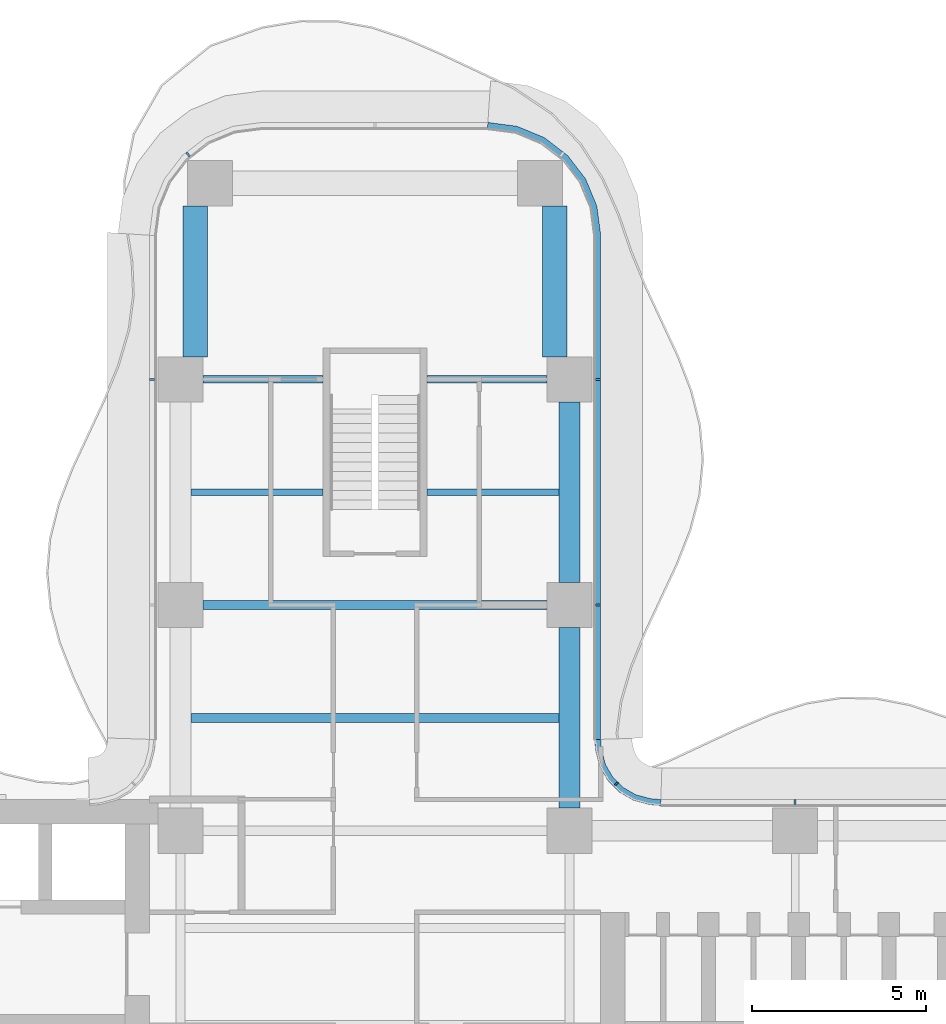
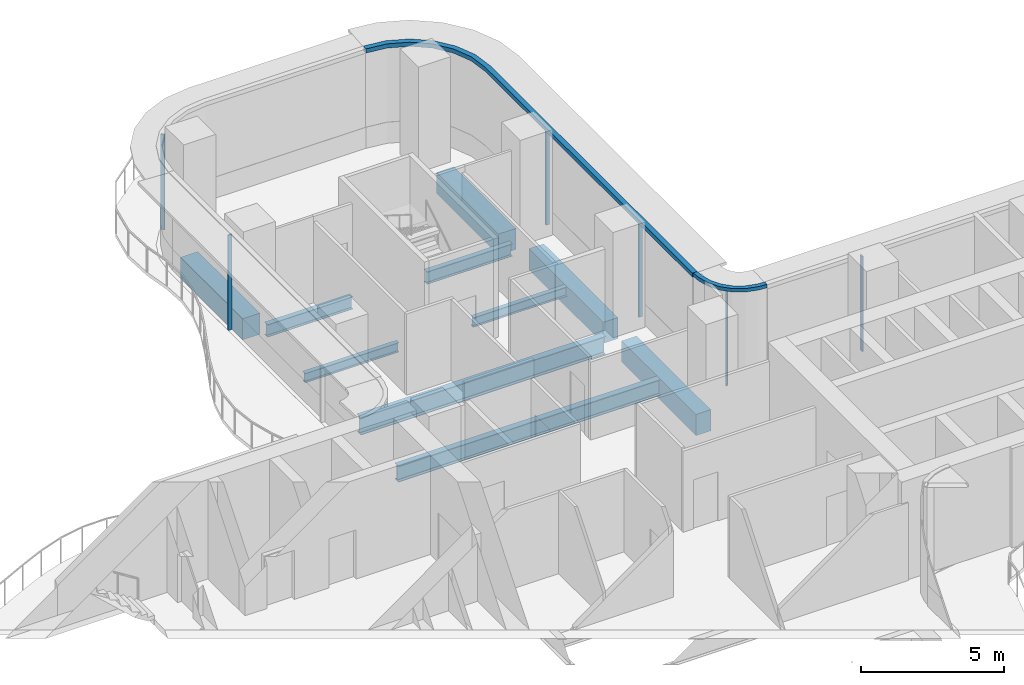
# One storey, part 9 of 20: 10 beams, 8 members, 5 elements without a shape of their own.
"""IFC4 building model written with IfcOpenShell, lengths in metres."""

import ifcopenshell
import ifcopenshell.guid

model = None  # the IFC model being written
_history = None  # IfcOwnerHistory: only IFC2X3 demands one
_inside = {}  # id of a spatial element -> (the spatial element, [elements in it])
_under = {}  # id of a project, library or spatial element -> (it, [spatial elements below it])
_declared = {}  # id of a project -> (the project, [libraries it declares])
_typed = {}  # id of a type object -> (the type object, [elements of that type])
_made_of = {}  # id of a material, layer set ... -> (it, [elements and type objects made of it])


def new_model(schema):
    """Start an empty IFC model of exactly this schema.

    Asked for "IFC4X3", IfcOpenShell would pick the latest addendum, in which some entities
    have other attributes; the version numbers below select the first issue.
    IFC2X3 requires an IfcOwnerHistory on every rooted entity: one is made here for all.
    """
    global model, _history
    if schema == "IFC4X3":
        model = ifcopenshell.file(schema_version=(4, 3, 0, 0))
    else:
        model = ifcopenshell.file(schema=schema)
    _inside.clear()
    _under.clear()
    _declared.clear()
    _typed.clear()
    _made_of.clear()
    _history = None
    if model.schema == "IFC2X3":
        org = make("IfcOrganization", Name="unknown")
        user = make(
            "IfcPersonAndOrganization",
            ThePerson=make("IfcPerson", FamilyName="unknown"),
            TheOrganization=org,
        )
        app = make(
            "IfcApplication",
            ApplicationDeveloper=org,
            Version="unknown",
            ApplicationFullName="unknown",
            ApplicationIdentifier="unknown",
        )
        _history = make(
            "IfcOwnerHistory",
            OwningUser=user,
            OwningApplication=app,
            ChangeAction="ADDED",
            CreationDate=0,
        )
    return model


def make(cls, **values):
    """One entity of the class cls with the attributes given. An attribute that is None is left unset."""
    return model.create_entity(
        cls, **{name: value for name, value in values.items() if value is not None}
    )


def rooted(cls, **values):
    """An entity with a GlobalId (a new one), such as an element, a storey or a relation."""
    return make(cls, GlobalId=ifcopenshell.guid.new(), OwnerHistory=_history, **values)


def si_unit(unit_type, name, prefix=None):
    """IfcSIUnit, for example si_unit("LENGTHUNIT", "METRE", prefix="MILLI")."""
    return make("IfcSIUnit", UnitType=unit_type, Prefix=prefix, Name=name)


def assignment(units):
    """IfcUnitAssignment: the units of a project."""
    return None if units is None else make("IfcUnitAssignment", Units=units)


def point(xyz):
    """IfcCartesianPoint."""
    return None if xyz is None else make("IfcCartesianPoint", Coordinates=xyz)


def direction(xyz):
    """IfcDirection."""
    return None if xyz is None else make("IfcDirection", DirectionRatios=xyz)


def frame(location, z_axis=None, x_axis=None):
    """IfcAxis2Placement3D, a coordinate frame: its origin and axes. An axis left out is left unset."""
    return make(
        "IfcAxis2Placement3D",
        Location=point(location),
        Axis=direction(z_axis),
        RefDirection=direction(x_axis),
    )


def frame_2d(location, x_axis=None):
    """IfcAxis2Placement2D, a coordinate frame in the plane: its origin and x axis."""
    return make(
        "IfcAxis2Placement2D", Location=point(location), RefDirection=direction(x_axis)
    )


def origin():
    """The frame at (0, 0, 0) with its axes left unset."""
    return frame((0.0, 0.0, 0.0))


def origin_2d():
    """The frame at (0, 0) in the plane with its x axis left unset."""
    return frame_2d((0.0, 0.0))


def place(relative_to, where):
    """IfcLocalPlacement: puts the frame where relative to a parent placement (None: the world)."""
    return make(
        "IfcLocalPlacement", PlacementRelTo=relative_to, RelativePlacement=where
    )


def context(
    kind, dimensions, precision=None, world=None, true_north=None, identifier=None
):
    """IfcGeometricRepresentationContext, for example the 3D "Model" context."""
    return make(
        "IfcGeometricRepresentationContext",
        ContextIdentifier=identifier,
        ContextType=kind,
        CoordinateSpaceDimension=dimensions,
        Precision=precision,
        WorldCoordinateSystem=world,
        TrueNorth=true_north,
    )


def subcontext(parent, identifier, kind, view, scale=None):
    """IfcGeometricRepresentationSubContext, for example "Body" below "Model"."""
    return make(
        "IfcGeometricRepresentationSubContext",
        ContextIdentifier=identifier,
        ContextType=kind,
        ParentContext=parent,
        TargetScale=scale,
        TargetView=view,
    )


def project(units=None, contexts=None):
    """IfcProject with its units and contexts."""
    return rooted(
        "IfcProject",
        Name="project",
        RepresentationContexts=contexts,
        UnitsInContext=assignment(units),
    )


def spatial(cls, under=None, at=None, **own):
    """A site, building, storey or space (cls), placed at a placement, below another one or the project."""
    s = rooted(cls, ObjectPlacement=at, **own)
    if under is not None:
        _under.setdefault(under.id(), (under, []))[1].append(s)
    return s


def polyline(points):
    """IfcPolyline through the points."""
    return make("IfcPolyline", Points=[point(p) for p in points])


def profile(cls, at=None, kind="AREA", **sizes):
    """A parametric profile (cls). Its sizes go by their IFC names, for example OverallWidth=200.0."""
    return make(cls, ProfileType=kind, Position=at, **sizes)


def rectangle(**sizes):
    """IfcRectangleProfileDef."""
    return profile("IfcRectangleProfileDef", **sizes)


def i_section(**sizes):
    """IfcIShapeProfileDef."""
    return profile("IfcIShapeProfileDef", **sizes)


def outline(outer, holes=None, kind="AREA"):
    """IfcArbitraryClosedProfileDef: a profile drawn as a closed curve; with holes, ...WithVoids."""
    if holes is None:
        return make("IfcArbitraryClosedProfileDef", ProfileType=kind, OuterCurve=outer)
    return make(
        "IfcArbitraryProfileDefWithVoids",
        ProfileType=kind,
        OuterCurve=outer,
        InnerCurves=holes,
    )


def extrude(swept, where, along, depth):
    """IfcExtrudedAreaSolid: the profile swept, set in the frame where, extruded along a direction by depth."""
    return make(
        "IfcExtrudedAreaSolid",
        SweptArea=swept,
        Position=where,
        ExtrudedDirection=direction(along),
        Depth=depth,
    )


def shape(context_of_items, identifier, shape_type, items):
    """IfcShapeRepresentation: the items that make up one representation, for example the "Body"."""
    return make(
        "IfcShapeRepresentation",
        ContextOfItems=context_of_items,
        RepresentationIdentifier=identifier,
        RepresentationType=shape_type,
        Items=items,
    )


def source(mapping_origin, context_of_items, identifier, shape_type, items):
    """IfcRepresentationMap: a shape defined once, which mapped items show again and again."""
    return make(
        "IfcRepresentationMap",
        MappingOrigin=mapping_origin,
        MappedRepresentation=shape(context_of_items, identifier, shape_type, items),
    )


def transform(
    local_origin,
    x_axis=None,
    y_axis=None,
    z_axis=None,
    scale=None,
    scale2=None,
    scale3=None,
    uniform=True,
):
    """IfcCartesianTransformationOperator3D, or its non-uniform kind. x_axis, y_axis, z_axis: its Axis1, 2, 3."""
    if uniform:
        return make(
            "IfcCartesianTransformationOperator3D",
            Axis1=direction(x_axis),
            Axis2=direction(y_axis),
            LocalOrigin=point(local_origin),
            Scale=scale,
            Axis3=direction(z_axis),
        )
    return make(
        "IfcCartesianTransformationOperator3DnonUniform",
        Axis1=direction(x_axis),
        Axis2=direction(y_axis),
        LocalOrigin=point(local_origin),
        Scale=scale,
        Axis3=direction(z_axis),
        Scale2=scale2,
        Scale3=scale3,
    )


def mapped(mapping_source, mapping_target):
    """IfcMappedItem: shows the shape of a source again, moved by a transform."""
    return make(
        "IfcMappedItem", MappingSource=mapping_source, MappingTarget=mapping_target
    )


def material(Name=None, Category=None):
    """IfcMaterial."""
    return make("IfcMaterial", Name=Name, Category=Category)


def layer(
    of_material, thickness, ventilated=None, Name=None, Category=None, Priority=None
):
    """IfcMaterialLayer: one layer of a wall or slab, of a material (None: an air gap)."""
    return make(
        "IfcMaterialLayer",
        Material=of_material,
        LayerThickness=thickness,
        IsVentilated=ventilated,
        Name=Name,
        Category=Category,
        Priority=Priority,
    )


def layer_set(layers, Name=None):
    """IfcMaterialLayerSet."""
    return make("IfcMaterialLayerSet", MaterialLayers=layers, LayerSetName=Name)


def material_profile(
    of_material, cross_section, Name=None, Category=None, Priority=None
):
    """IfcMaterialProfile: a cross section and its material."""
    return make(
        "IfcMaterialProfile",
        Name=Name,
        Material=of_material,
        Profile=cross_section,
        Priority=Priority,
        Category=Category,
    )


def profile_set(profiles, Name=None, composite=None):
    """IfcMaterialProfileSet."""
    return make(
        "IfcMaterialProfileSet",
        Name=Name,
        MaterialProfiles=profiles,
        CompositeProfile=composite,
    )


def made_of(thing, what):
    """Note that an element or type object is made of a material, layer set ...; save() writes the relation."""
    if what is not None:
        _made_of.setdefault(what.id(), (what, []))[1].append(thing)
    return thing


def type_object(cls, material=None, **own):
    """A type object (cls), such as IfcWallType, which elements share."""
    return made_of(rooted(cls, **own), material)


def element(
    cls,
    number,
    at=None,
    inside=None,
    cuts=None,
    type_object=None,
    material=None,
    context=None,
    identifier="Body",
    shape_type=None,
    held_by="IfcProductDefinitionShape",
    body=None,
    shapes=None,
    **own,
):
    """One element of the class cls, such as IfcWall. Its Tag is "e" and its number.

    at: its placement. inside: the storey or other place that contains it. cuts: it is an
    opening in that element (IfcRelVoidsElement). A single representation is given by context,
    identifier, shape_type and body (its items); several are given by shapes. held_by: the class
    of the entity that holds the representations. save() writes the other relations.
    """
    e = rooted(cls, Tag="e%d" % number, ObjectPlacement=at, **own)
    if body is not None:
        shapes = [shape(context, identifier, shape_type, body)]
    if shapes is not None:
        e.Representation = make(held_by, Representations=shapes)
    if inside is not None:
        _inside.setdefault(inside.id(), (inside, []))[1].append(e)
    if cuts is not None:
        rooted(
            "IfcRelVoidsElement", RelatingBuildingElement=cuts, RelatedOpeningElement=e
        )
    if type_object is not None:
        _typed.setdefault(type_object.id(), (type_object, []))[1].append(e)
    return made_of(e, material)


def aggregate(whole, parts):
    """IfcRelAggregates: a whole, such as a stair, and the parts it consists of."""
    return rooted("IfcRelAggregates", RelatingObject=whole, RelatedObjects=parts)


def save(model, path):
    """Write the relations noted so far, then the file.

    IfcRelAggregates (storeys below a building ...), IfcRelContainedInSpatialStructure (elements
    in a storey), IfcRelDefinesByType, IfcRelAssociatesMaterial and IfcRelDeclares: one each for
    every whole, place, type object, material and project.
    """
    for whole, parts in _under.values():
        aggregate(whole, parts)
    for where, things in _inside.values():
        rooted(
            "IfcRelContainedInSpatialStructure",
            RelatedElements=things,
            RelatingStructure=where,
        )
    for kind, things in _typed.values():
        rooted("IfcRelDefinesByType", RelatedObjects=things, RelatingType=kind)
    for what, things in _made_of.values():
        rooted("IfcRelAssociatesMaterial", RelatedObjects=things, RelatingMaterial=what)
    for by, libraries in _declared.values():
        rooted("IfcRelDeclares", RelatingContext=by, RelatedDefinitions=libraries)
    model.write(path)


model = new_model("IFC4")

# Units and contexts
model_context = context("Model", 3, precision=1e-05, world=origin(), true_north=direction((0.0, 1.0)))
body_context = subcontext(model_context, "Body", "Model", "MODEL_VIEW")
ifc_project = project(units=[si_unit("LENGTHUNIT", "METRE"), si_unit("AREAUNIT", "SQUARE_METRE"), si_unit("VOLUMEUNIT", "CUBIC_METRE"), si_unit("PLANEANGLEUNIT", "RADIAN"), si_unit("MASSUNIT", "GRAM", prefix="KILO")], contexts=[model_context])

# Site, building, storey
site_placement = place(None, origin())
site = spatial("IfcSite", under=ifc_project, at=site_placement, CompositionType="ELEMENT")
building_placement = place(site_placement, origin())
building = spatial("IfcBuilding", under=site, at=building_placement, Name="Trellis Farm Tower", CompositionType="ELEMENT")
storey_placement = place(building_placement, frame((0.0, 0.0, 142.5)))
storey = spatial("IfcBuildingStorey", under=building, at=storey_placement, Name="L30", CompositionType="ELEMENT", Elevation=142.5)

# Beams
ifc_material_1 = material(Name="Steel S355", Category="steel")
ifc_material_profile_1 = material_profile(ifc_material_1, i_section(OverallWidth=0.177978515625, OverallDepth=0.406494140625, WebThickness=0.0078125, FlangeThickness=0.0126953125, FilletRadius=0.01025390625, at=origin_2d()), Name="UB 406x178x60")
ifc_profile_set_1 = profile_set([ifc_material_profile_1], Name="Steel S355")
beam_type_1 = type_object("IfcBeamType", Name="UB 406x178x60 joist", PredefinedType="JOIST", material=ifc_profile_set_1)
shared_shape_1 = source(origin(), body_context, "Body", "SweptSolid", [
    extrude(i_section(OverallWidth=0.177978515625, OverallDepth=0.406494140625, WebThickness=0.0078125, FlangeThickness=0.0126953125, FilletRadius=0.01025390625, at=origin_2d()), origin(), (0.0, 0.0, 1.0), 3.800048828125),
])
for number, where, z_axis, x_axis, name in (
    (1, (-5.300048828125, 15.35009765625, -0.453125), (1.0, 0.0, 0.0), (0.0, 1.0, 0.0), "Floor beam"),
    (2, (1.5, 15.35009765625, -0.453125), (1.0, 0.0, 0.0), (0.0, 1.0, 0.0), "Floor beam"),
):
    element("IfcBeam", number, at=place(storey_placement, frame(where, z_axis=z_axis, x_axis=x_axis)), inside=storey, type_object=beam_type_1, Name=name, PredefinedType="JOIST", context=body_context, shape_type="MappedRepresentation", body=[
        mapped(shared_shape_1, transform((0.0, 0.0, 0.0))),
    ])
ifc_material_profile_2 = material_profile(ifc_material_1, i_section(OverallWidth=0.253662109375, OverallDepth=0.68359375, WebThickness=0.012451171875, FlangeThickness=0.021728515625, FilletRadius=0.01513671875, at=origin_2d()), Name="UB 686x254x140")
ifc_profile_set_2 = profile_set([ifc_material_profile_2], Name="Steel S355")
beam_type_2 = type_object("IfcBeamType", Name="UB 686x254x140 joist", PredefinedType="JOIST", material=ifc_profile_set_2)
shared_shape_2 = source(origin(), body_context, "Body", "SweptSolid", [
    extrude(i_section(OverallWidth=0.253662109375, OverallDepth=0.68359375, WebThickness=0.012451171875, FlangeThickness=0.021728515625, FilletRadius=0.01513671875, at=origin_2d()), origin(), (0.0, 0.0, 1.0), 10.60009765625),
])
beam_1_placement = place(storey_placement, frame((-5.300048828125, 8.85009765625, -0.591796875), z_axis=(1.0, 0.0, 0.0), x_axis=(0.0, 1.0, 0.0)))
element("IfcBeam", 3, at=beam_1_placement, inside=storey, type_object=beam_type_2, Name="Floor beam", PredefinedType="JOIST", context=body_context, shape_type="MappedRepresentation", body=[
    mapped(shared_shape_2, transform((0.0, 0.0, 0.0))),
])
ifc_material_profile_3 = material_profile(ifc_material_1, i_section(OverallWidth=0.209228515625, OverallDepth=0.533203125, WebThickness=0.010009765625, FlangeThickness=0.015625, FilletRadius=0.0126953125, at=origin_2d()), Name="UB 533x210x92")
ifc_profile_set_3 = profile_set([ifc_material_profile_3], Name="Steel S355")
beam_type_3 = type_object("IfcBeamType", Name="UB 533x210x92", PredefinedType="BEAM", material=ifc_profile_set_3)
shared_shape_3 = source(origin(), body_context, "Body", "SweptSolid", [
    extrude(i_section(OverallWidth=0.209228515625, OverallDepth=0.533203125, WebThickness=0.010009765625, FlangeThickness=0.015625, FilletRadius=0.0126953125, at=origin_2d()), origin(), (0.0, 0.0, 1.0), 3.449951171875),
])
for number, where, z_axis, x_axis, name in (
    (4, (-4.949951171875, 18.60009765625, -0.5166015625), (1.0, 0.0, 0.0), (0.0, 1.0, 0.0), "Girder"),
    (5, (1.5, 18.60009765625, -0.5166015625), (1.0, 0.0, 0.0), (0.0, 1.0, 0.0), "Girder"),
):
    element("IfcBeam", number, at=place(storey_placement, frame(where, z_axis=z_axis, x_axis=x_axis)), inside=storey, type_object=beam_type_3, Name=name, PredefinedType="BEAM", context=body_context, shape_type="MappedRepresentation", body=[
        mapped(shared_shape_3, transform((0.0, 0.0, 0.0))),
    ])
ifc_material_profile_4 = material_profile(ifc_material_1, i_section(OverallWidth=0.2666015625, OverallDepth=0.76220703125, WebThickness=0.014404296875, FlangeThickness=0.021484375, FilletRadius=0.0166015625, at=origin_2d()), Name="UB 762x267x173")
ifc_profile_set_4 = profile_set([ifc_material_profile_4], Name="Steel S355")
beam_type_4 = type_object("IfcBeamType", Name="UB 762x267x173", PredefinedType="BEAM", material=ifc_profile_set_4)
shared_shape_4 = source(origin(), body_context, "Body", "SweptSolid", [
    extrude(i_section(OverallWidth=0.2666015625, OverallDepth=0.76220703125, WebThickness=0.014404296875, FlangeThickness=0.021484375, FilletRadius=0.0166015625, at=origin_2d()), origin(), (0.0, 0.0, 1.0), 9.89990234375),
])
beam_2_placement = place(storey_placement, frame((-4.949951171875, 12.10009765625, -0.631103515625), z_axis=(1.0, 0.0, 0.0), x_axis=(0.0, 1.0, 0.0)))
element("IfcBeam", 6, at=beam_2_placement, inside=storey, type_object=beam_type_4, Name="Girder", PredefinedType="BEAM", context=body_context, shape_type="MappedRepresentation", body=[
    mapped(shared_shape_4, transform((0.0, 0.0, 0.0))),
])
ifc_material_2 = material(Name="Concrete C60/75", Category="concrete")
ifc_material_profile_5 = material_profile(ifc_material_2, rectangle(XDim=0.60009765625, YDim=0.89990234375, at=origin_2d()), Name="RC spandrel beam 600x900 C60/75")
ifc_profile_set_5 = profile_set([ifc_material_profile_5], Name="Concrete C60/75")
beam_type_5 = type_object("IfcBeamType", Name="RC spandrel beam 600x900 C60/75", PredefinedType="SPANDREL", material=ifc_profile_set_5)
shared_shape_5 = source(origin(), body_context, "Body", "SweptSolid", [
    extrude(rectangle(XDim=0.60009765625, YDim=0.89990234375, at=origin_2d()), origin(), (0.0, 0.0, 1.0), 5.199951171875),
])
for number, where, z_axis, x_axis, name in (
    (7, (5.60009765625, 6.25, -0.699951171875), (0.0, 1.0, 0.0), (-1.0, 0.0, 0.0), "Girder"),
    (8, (5.60009765625, 12.75, -0.699951171875), (0.0, 1.0, 0.0), (-1.0, 0.0, 0.0), "Girder"),
):
    element("IfcBeam", number, at=place(storey_placement, frame(where, z_axis=z_axis, x_axis=x_axis)), inside=storey, type_object=beam_type_5, Name=name, PredefinedType="SPANDREL", context=body_context, shape_type="MappedRepresentation", body=[
        mapped(shared_shape_5, transform((0.0, 0.0, 0.0))),
    ])
ifc_material_profile_6 = material_profile(ifc_material_2, rectangle(XDim=0.699951171875, YDim=0.89990234375, at=origin_2d()), Name="RC spandrel beam 700x900 C60/75")
ifc_profile_set_6 = profile_set([ifc_material_profile_6], Name="Concrete C60/75")
beam_type_6 = type_object("IfcBeamType", Name="RC spandrel beam 700x900 C60/75", PredefinedType="SPANDREL", material=ifc_profile_set_6)
shared_shape_6 = source(origin(), body_context, "Body", "SweptSolid", [
    extrude(rectangle(XDim=0.699951171875, YDim=0.89990234375, at=origin_2d()), origin(), (0.0, 0.0, 1.0), 4.35009765625),
])
for number, where, z_axis, x_axis, name in (
    (9, (-5.175048828125, 19.25, -0.699951171875), (0.0, 1.0, 0.0), (-1.0, 0.0, 0.0), "Girder"),
    (10, (5.175048828125, 19.25, -0.699951171875), (0.0, 1.0, 0.0), (-1.0, 0.0, 0.0), "Girder"),
):
    element("IfcBeam", number, at=place(storey_placement, frame(where, z_axis=z_axis, x_axis=x_axis)), inside=storey, type_object=beam_type_6, Name=name, PredefinedType="SPANDREL", context=body_context, shape_type="MappedRepresentation", body=[
        mapped(shared_shape_6, transform((0.0, 0.0, 0.0))),
    ])

# Curtain wall, member
ifc_material_3 = material(Name="Aluminium and glass curtain wall", Category="aluminium")
ifc_layer_1 = layer(ifc_material_3, 0.18994140625)
ifc_layer_set_1 = layer_set([ifc_layer_1], Name="RIBBON CURTAIN WALL CW1")
curtain_wall_type_1 = type_object("IfcCurtainWallType", Name="RIBBON CURTAIN WALL CW1", PredefinedType="NOTDEFINED", material=ifc_layer_set_1)
placement = place(storey_placement, origin())
curtain_wall_1 = element("IfcCurtainWall", 11, at=placement, inside=storey, type_object=curtain_wall_type_1, Name="CW1 008", PredefinedType="NOTDEFINED")
ifc_material_4 = material(Name="Aluminium extrusion 6063-T6", Category="aluminium")
ifc_material_profile_7 = material_profile(ifc_material_4, rectangle(XDim=0.06005859375, YDim=0.14990234375, at=origin_2d()), Name="MULLION 60x150")
ifc_profile_set_7 = profile_set([ifc_material_profile_7], Name="Aluminium extrusion 6063-T6")
member_type_1 = type_object("IfcMemberType", Name="CW1 MULLION 60x150", PredefinedType="MULLION", material=ifc_profile_set_7)
shared_shape_7 = source(origin(), body_context, "Body", "SweptSolid", [
    extrude(rectangle(XDim=0.06005859375, YDim=0.14990234375, at=origin_2d()), origin(), (0.0, 0.0, 1.0), 4.070068359375),
])
member_1_placement = place(storey_placement, frame((12.10009765625, 6.425048828125, 0.0), z_axis=(0.0, 0.0, 1.0), x_axis=(-1.0, 0.0, 0.0)))
member_1 = element("IfcMember", 12, at=member_1_placement, type_object=member_type_1, Name="MU1 008-02", PredefinedType="MULLION", context=body_context, shape_type="MappedRepresentation", body=[
    mapped(shared_shape_7, transform((0.0, 0.0, 0.0))),
])
aggregate(curtain_wall_1, [member_1])

# Curtain wall, members
curtain_wall_2 = element("IfcCurtainWall", 13, at=placement, inside=storey, type_object=curtain_wall_type_1, Name="CW1 009", PredefinedType="NOTDEFINED")
member_2_placement = place(storey_placement, frame((6.425048828125, 12.10009765625, 0.0), z_axis=(0.0, 0.0, 1.0), x_axis=(0.0, 1.0, 0.0)))
member_2 = element("IfcMember", 14, at=member_2_placement, type_object=member_type_1, Name="MU1 009-01", PredefinedType="MULLION", context=body_context, shape_type="MappedRepresentation", body=[
    mapped(shared_shape_7, transform((0.0, 0.0, 0.0))),
])
member_3_placement = place(storey_placement, frame((6.425048828125, 18.60009765625, 0.0), z_axis=(0.0, 0.0, 1.0), x_axis=(0.0, 1.0, 0.0)))
member_3 = element("IfcMember", 15, at=member_3_placement, type_object=member_type_1, Name="MU1 009-02", PredefinedType="MULLION", context=body_context, shape_type="MappedRepresentation", body=[
    mapped(shared_shape_7, transform((0.0, 0.0, 0.0))),
])

# Curtain wall, member
curtain_wall_3 = element("IfcCurtainWall", 16, at=placement, inside=storey, type_object=curtain_wall_type_1, Name="CW1 010", PredefinedType="NOTDEFINED")
member_4_placement = place(storey_placement, frame((-5.385498046875, 25.078369140625, 0.0), z_axis=(0.0, 0.0, 1.0), x_axis=(-0.793353340291, -0.608761429009, 0.0)))
member_4 = element("IfcMember", 17, at=member_4_placement, type_object=member_type_1, Name="MU1 010-02", PredefinedType="MULLION", context=body_context, shape_type="MappedRepresentation", body=[
    mapped(shared_shape_7, transform((0.0, 0.0, 0.0))),
])
aggregate(curtain_wall_3, [member_4])

curtain_wall_4 = element("IfcCurtainWall", 18, at=placement, inside=storey, type_object=curtain_wall_type_1, Name="CW1 011", PredefinedType="NOTDEFINED")
member_5_placement = place(storey_placement, frame((-6.425048828125, 18.60009765625, 0.0), z_axis=(0.0, 0.0, 1.0), x_axis=(0.0, -1.0, 0.0)))
member_5 = element("IfcMember", 19, at=member_5_placement, type_object=member_type_1, Name="MU1 011-01", PredefinedType="MULLION", context=body_context, shape_type="MappedRepresentation", body=[
    mapped(shared_shape_7, transform((0.0, 0.0, 0.0))),
])
aggregate(curtain_wall_4, [member_5])

# Curtain wall, members
ifc_layer_2 = layer(ifc_material_3, 0.166015625)
ifc_layer_set_2 = layer_set([ifc_layer_2], Name="WINTER GARDEN CURTAIN WALL CW3")
curtain_wall_type_2 = type_object("IfcCurtainWallType", Name="WINTER GARDEN CURTAIN WALL CW3", PredefinedType="NOTDEFINED", material=ifc_layer_set_2)
curtain_wall_5 = element("IfcCurtainWall", 20, at=placement, inside=storey, type_object=curtain_wall_type_2, Name="CW3 003", PredefinedType="NOTDEFINED")
ifc_material_profile_8 = material_profile(ifc_material_4, rectangle(XDim=0.050048828125, YDim=0.1201171875, at=origin_2d()), Name="MULLION 50x120")
ifc_profile_set_8 = profile_set([ifc_material_profile_8], Name="Aluminium extrusion 6063-T6")
member_type_2 = type_object("IfcMemberType", Name="CW3 MULLION 50x120", PredefinedType="MULLION", material=ifc_profile_set_8)
shared_shape_8 = source(origin(), body_context, "Body", "SweptSolid", [
    extrude(rectangle(XDim=0.050048828125, YDim=0.1201171875, at=origin_2d()), origin(), (0.0, 0.0, 1.0), 4.10009765625),
])
member_6_placement = place(storey_placement, frame((6.953125, 6.953125, 0.0), z_axis=(0.0, 0.0, 1.0), x_axis=(-0.707106781187, 0.707106781187, 0.0)))
member_6 = element("IfcMember", 21, at=member_6_placement, type_object=member_type_2, Name="MU3 003-01", PredefinedType="MULLION", context=body_context, shape_type="MappedRepresentation", body=[
    mapped(shared_shape_8, transform((0.0, 0.0, 0.0))),
])
ifc_layer_3 = layer(ifc_material_4, 0.169921875)
ifc_layer_set_3 = layer_set([ifc_layer_3], Name="Aluminium extrusion 6063-T6")
member_type_3 = type_object("IfcMemberType", Name="CW3 TRANSOM 170x150", PredefinedType="USERDEFINED", material=ifc_layer_set_3)
shared_shape_9 = source(origin(), body_context, "Body", "SweptSolid", [
    extrude(outline(polyline([(8.2314453125, 6.5), (8.01953125, 6.513916015625), (7.91552734375, 6.527587890625), (7.508544921875, 6.63671875), (7.144287109375, 6.846923828125), (6.846923828125, 7.144287109375), (6.63671875, 7.508544921875), (6.527587890625, 7.91552734375), (6.513916015625, 8.01953125), (6.5, 8.2314453125), (6.330078125, 8.225830078125), (6.3447265625, 8.0029296875), (6.360595703125, 7.88232421875), (6.478271484375, 7.44287109375), (6.7109375, 7.0400390625), (7.0400390625, 6.7109375), (7.44287109375, 6.478271484375), (7.88232421875, 6.360595703125), (8.0029296875, 6.3447265625), (8.225830078125, 6.330078125), (8.2314453125, 6.5)])), origin(), (0.0, 0.0, 1.0), 0.14990234375),
])
member_7_placement = place(storey_placement, frame((0.0, 0.0, 4.10009765625)))
member_7 = element("IfcMember", 22, at=member_7_placement, type_object=member_type_3, Name="TR3 003", ObjectType="TRANSOM", PredefinedType="USERDEFINED", context=body_context, shape_type="MappedRepresentation", body=[
    mapped(shared_shape_9, transform((0.0, 0.0, 0.0))),
])
aggregate(curtain_wall_5, [member_6, member_7])

# Member
ifc_layer_4 = layer(ifc_material_4, 0.199951171875)
ifc_layer_set_4 = layer_set([ifc_layer_4], Name="Aluminium extrusion 6063-T6")
member_type_4 = type_object("IfcMemberType", Name="CW1 TRANSOM 200x180", PredefinedType="USERDEFINED", material=ifc_layer_set_4)
shared_shape_10 = source(origin(), body_context, "Body", "SweptSolid", [
    extrude(outline(polyline([(6.5, 8.2314453125), (6.5, 22.75), (6.38916015625, 23.591064453125), (6.064697265625, 24.375), (5.548095703125, 25.048095703125), (4.875, 25.564697265625), (4.091064453125, 25.88916015625), (3.25, 26.0), (3.23681640625, 25.800048828125), (4.0390625, 25.6943359375), (4.774169921875, 25.389892578125), (5.405517578125, 24.905517578125), (5.889892578125, 24.274169921875), (6.1943359375, 23.5390625), (6.300048828125, 22.73681640625), (6.300048828125, 8.224853515625), (6.5, 8.2314453125)])), origin(), (0.0, 0.0, 1.0), 0.179931640625),
])
member_8_placement = place(storey_placement, frame((0.0, 0.0, 4.070068359375)))
member_8 = element("IfcMember", 23, at=member_8_placement, type_object=member_type_4, Name="TR1 009", ObjectType="TRANSOM", PredefinedType="USERDEFINED", context=body_context, shape_type="MappedRepresentation", body=[
    mapped(shared_shape_10, transform((0.0, 0.0, 0.0))),
])

aggregate(curtain_wall_2, [member_2, member_3, member_8])

save(model, "model.ifc")
